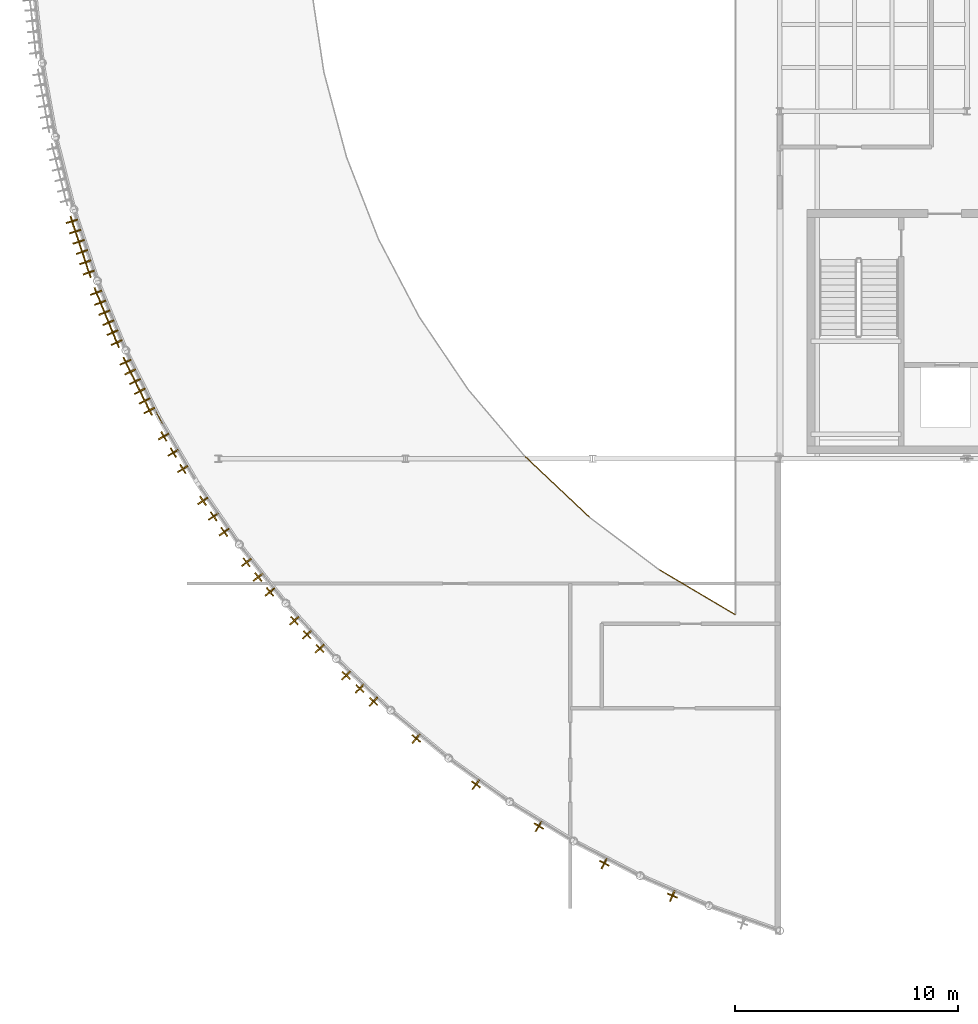
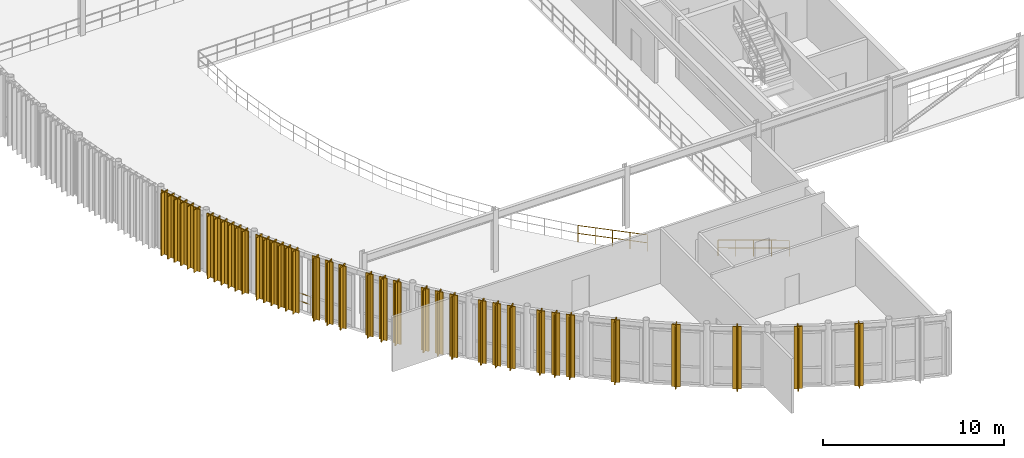
# One storey, part 26 of 32: 38 coverings, 38 shading devices, 3 railings.
"""IFC4 building model written with IfcOpenShell, lengths in metres."""

from ifc_helpers import new_model, si_unit, direction, frame, origin, origin_2d, place, context, subcontext, project, spatial, polyline, rectangle, circle, outline, extrude, material, layer, layer_set, material_profile, profile_set, type_object, element, save


model = new_model("IFC4")

# Units and contexts
model_context = context("Model", 3, precision=1e-05, world=origin(), true_north=direction((0.0, 1.0)))
body_context = subcontext(model_context, "Body", "Model", "MODEL_VIEW")
ifc_project = project(units=[si_unit("LENGTHUNIT", "METRE"), si_unit("AREAUNIT", "SQUARE_METRE"), si_unit("VOLUMEUNIT", "CUBIC_METRE"), si_unit("PLANEANGLEUNIT", "RADIAN"), si_unit("MASSUNIT", "GRAM", prefix="KILO")], contexts=[model_context])

# Site, building, storey
site_placement = place(None, origin())
site = spatial("IfcSite", under=ifc_project, at=site_placement, CompositionType="ELEMENT")
building_placement = place(site_placement, origin())
building = spatial("IfcBuilding", under=site, at=building_placement, Name="Selat Folded Stagehouse", CompositionType="ELEMENT")
storey_placement = place(building_placement, frame((0.0, 0.0, 19.199951171875)))
storey = spatial("IfcBuildingStorey", under=building, at=storey_placement, Name="L04", CompositionType="ELEMENT", Elevation=19.199951171875)

# Coverings
ifc_material_1 = material(Name="Bronze-anodised aluminium 6063-T6", Category="aluminium")
ifc_layer_1 = layer(ifc_material_1, 0.06005859375)
ifc_layer_set_1 = layer_set([ifc_layer_1], Name="Bronze-anodised aluminium 6063-T6")
covering_type = type_object("IfcCoveringType", Name="COV-FIN-BRZ42", PredefinedType="CLADDING", material=ifc_layer_set_1)
covering_1_placement = place(storey_placement, frame((0.0, 0.0, -0.099853515625)))
element("IfcCovering", 1, at=covering_1_placement, inside=storey, type_object=covering_type, Name="L04 drum bronze fin cladding sheath 215", PredefinedType="CLADDING", context=body_context, shape_type="SweptSolid", body=[
    extrude(outline(polyline([(2.073486328125, 34.1630859375), (1.556640625, 34.007080078125), (1.5751953125, 33.94580078125), (2.092041015625, 34.101806640625), (2.073486328125, 34.1630859375)])), origin(), (0.0, 0.0, 1.0), 4.219970703125),
])
covering_2_placement = place(storey_placement, frame((0.0, 0.0, -0.099853515625)))
element("IfcCovering", 2, at=covering_2_placement, inside=storey, type_object=covering_type, Name="L04 drum bronze fin cladding sheath 221", PredefinedType="CLADDING", context=body_context, shape_type="SweptSolid", body=[
    extrude(outline(polyline([(2.223876953125, 33.706298828125), (1.70849609375, 33.544921875), (1.7275390625, 33.48388671875), (2.242919921875, 33.64501953125), (2.223876953125, 33.706298828125)])), origin(), (0.0, 0.0, 1.0), 4.219970703125),
])
covering_3_placement = place(storey_placement, frame((0.0, 0.0, -0.099853515625)))
element("IfcCovering", 3, at=covering_3_placement, inside=storey, type_object=covering_type, Name="L04 drum bronze fin cladding sheath 227", PredefinedType="CLADDING", context=body_context, shape_type="SweptSolid", body=[
    extrude(outline(polyline([(2.3740234375, 33.249267578125), (1.8603515625, 33.082763671875), (1.880126953125, 33.02197265625), (2.393798828125, 33.188232421875), (2.3740234375, 33.249267578125)])), origin(), (0.0, 0.0, 1.0), 4.219970703125),
])
covering_4_placement = place(storey_placement, frame((0.0, 0.0, -0.099853515625)))
element("IfcCovering", 4, at=covering_4_placement, inside=storey, type_object=covering_type, Name="L04 drum bronze fin cladding sheath 233", PredefinedType="CLADDING", context=body_context, shape_type="SweptSolid", body=[
    extrude(outline(polyline([(2.5244140625, 32.792236328125), (2.012451171875, 32.62060546875), (2.03271484375, 32.559814453125), (2.544921875, 32.7314453125), (2.5244140625, 32.792236328125)])), origin(), (0.0, 0.0, 1.0), 4.219970703125),
])
covering_5_placement = place(storey_placement, frame((0.0, 0.0, -0.099853515625)))
element("IfcCovering", 5, at=covering_5_placement, inside=storey, type_object=covering_type, Name="L04 drum bronze fin cladding sheath 239", PredefinedType="CLADDING", context=body_context, shape_type="SweptSolid", body=[
    extrude(outline(polyline([(2.6748046875, 32.335205078125), (2.16455078125, 32.158447265625), (2.185302734375, 32.097900390625), (2.69580078125, 32.274658203125), (2.6748046875, 32.335205078125)])), origin(), (0.0, 0.0, 1.0), 4.219970703125),
])
covering_6_placement = place(storey_placement, frame((0.0, 0.0, -0.099853515625)))
element("IfcCovering", 6, at=covering_6_placement, inside=storey, type_object=covering_type, Name="L04 drum bronze fin cladding sheath 245", PredefinedType="CLADDING", context=body_context, shape_type="SweptSolid", body=[
    extrude(outline(polyline([(2.824951171875, 31.878173828125), (2.31640625, 31.6962890625), (2.338134765625, 31.635986328125), (2.8466796875, 31.81787109375), (2.824951171875, 31.878173828125)])), origin(), (0.0, 0.0, 1.0), 4.219970703125),
])
covering_7_placement = place(storey_placement, frame((0.0, 0.0, -0.099853515625)))
element("IfcCovering", 7, at=covering_7_placement, inside=storey, type_object=covering_type, Name="L04 drum bronze fin cladding sheath 251", PredefinedType="CLADDING", context=body_context, shape_type="SweptSolid", body=[
    extrude(outline(polyline([(3.1572265625, 30.975830078125), (2.652587890625, 30.78369140625), (2.67529296875, 30.72412109375), (3.179931640625, 30.916015625), (3.1572265625, 30.975830078125)])), origin(), (0.0, 0.0, 1.0), 4.219970703125),
])
covering_8_placement = place(storey_placement, frame((0.0, 0.0, -0.099853515625)))
element("IfcCovering", 8, at=covering_8_placement, inside=storey, type_object=covering_type, Name="L04 drum bronze fin cladding sheath 257", PredefinedType="CLADDING", context=body_context, shape_type="SweptSolid", body=[
    extrude(outline(polyline([(3.339111328125, 30.530517578125), (2.83642578125, 30.33349609375), (2.85986328125, 30.27392578125), (3.362548828125, 30.470947265625), (3.339111328125, 30.530517578125)])), origin(), (0.0, 0.0, 1.0), 4.219970703125),
])
covering_9_placement = place(storey_placement, frame((0.0, 0.0, -0.099853515625)))
element("IfcCovering", 9, at=covering_9_placement, inside=storey, type_object=covering_type, Name="L04 drum bronze fin cladding sheath 263", PredefinedType="CLADDING", context=body_context, shape_type="SweptSolid", body=[
    extrude(outline(polyline([(3.521240234375, 30.085205078125), (3.0205078125, 29.883056640625), (3.04443359375, 29.82373046875), (3.545166015625, 30.02587890625), (3.521240234375, 30.085205078125)])), origin(), (0.0, 0.0, 1.0), 4.219970703125),
])
covering_10_placement = place(storey_placement, frame((0.0, 0.0, -0.099853515625)))
element("IfcCovering", 10, at=covering_10_placement, inside=storey, type_object=covering_type, Name="L04 drum bronze fin cladding sheath 269", PredefinedType="CLADDING", context=body_context, shape_type="SweptSolid", body=[
    extrude(outline(polyline([(3.703125, 29.639892578125), (3.20458984375, 29.4326171875), (3.22900390625, 29.37353515625), (3.727783203125, 29.580810546875), (3.703125, 29.639892578125)])), origin(), (0.0, 0.0, 1.0), 4.219970703125),
])
covering_11_placement = place(storey_placement, frame((0.0, 0.0, -0.099853515625)))
element("IfcCovering", 11, at=covering_11_placement, inside=storey, type_object=covering_type, Name="L04 drum bronze fin cladding sheath 275", PredefinedType="CLADDING", context=body_context, shape_type="SweptSolid", body=[
    extrude(outline(polyline([(3.885009765625, 29.194580078125), (3.388427734375, 28.982421875), (3.413818359375, 28.923583984375), (3.910400390625, 29.135498046875), (3.885009765625, 29.194580078125)])), origin(), (0.0, 0.0, 1.0), 4.219970703125),
])
covering_12_placement = place(storey_placement, frame((0.0, 0.0, -0.099853515625)))
element("IfcCovering", 12, at=covering_12_placement, inside=storey, type_object=covering_type, Name="L04 drum bronze fin cladding sheath 281", PredefinedType="CLADDING", context=body_context, shape_type="SweptSolid", body=[
    extrude(outline(polyline([(4.067138671875, 28.7490234375), (3.57275390625, 28.531982421875), (3.598388671875, 28.473388671875), (4.0927734375, 28.6904296875), (4.067138671875, 28.7490234375)])), origin(), (0.0, 0.0, 1.0), 4.219970703125),
])
covering_13_placement = place(storey_placement, frame((0.0, 0.0, -0.099853515625)))
element("IfcCovering", 13, at=covering_13_placement, inside=storey, type_object=covering_type, Name="L04 drum bronze fin cladding sheath 287", PredefinedType="CLADDING", context=body_context, shape_type="SweptSolid", body=[
    extrude(outline(polyline([(4.4619140625, 27.872314453125), (3.9716796875, 27.6455078125), (3.998779296875, 27.58740234375), (4.48876953125, 27.814208984375), (4.4619140625, 27.872314453125)])), origin(), (0.0, 0.0, 1.0), 4.219970703125),
])
covering_14_placement = place(storey_placement, frame((0.0, 0.0, -0.099853515625)))
element("IfcCovering", 14, at=covering_14_placement, inside=storey, type_object=covering_type, Name="L04 drum bronze fin cladding sheath 293", PredefinedType="CLADDING", context=body_context, shape_type="SweptSolid", body=[
    extrude(outline(polyline([(4.674560546875, 27.44091796875), (4.18701171875, 27.208984375), (4.21435546875, 27.151123046875), (4.7021484375, 27.383056640625), (4.674560546875, 27.44091796875)])), origin(), (0.0, 0.0, 1.0), 4.219970703125),
])
covering_15_placement = place(storey_placement, frame((0.0, 0.0, -0.099853515625)))
element("IfcCovering", 15, at=covering_15_placement, inside=storey, type_object=covering_type, Name="L04 drum bronze fin cladding sheath 299", PredefinedType="CLADDING", context=body_context, shape_type="SweptSolid", body=[
    extrude(outline(polyline([(4.887451171875, 27.00927734375), (4.402099609375, 26.772705078125), (4.43017578125, 26.715087890625), (4.915283203125, 26.951904296875), (4.887451171875, 27.00927734375)])), origin(), (0.0, 0.0, 1.0), 4.219970703125),
])
covering_16_placement = place(storey_placement, frame((0.0, 0.0, -0.099853515625)))
element("IfcCovering", 16, at=covering_16_placement, inside=storey, type_object=covering_type, Name="L04 drum bronze fin cladding sheath 305", PredefinedType="CLADDING", context=body_context, shape_type="SweptSolid", body=[
    extrude(outline(polyline([(5.10009765625, 26.577880859375), (4.6171875, 26.336181640625), (4.645751953125, 26.279052734375), (5.12890625, 26.5205078125), (5.10009765625, 26.577880859375)])), origin(), (0.0, 0.0, 1.0), 4.219970703125),
])
covering_17_placement = place(storey_placement, frame((0.0, 0.0, -0.099853515625)))
element("IfcCovering", 17, at=covering_17_placement, inside=storey, type_object=covering_type, Name="L04 drum bronze fin cladding sheath 311", PredefinedType="CLADDING", context=body_context, shape_type="SweptSolid", body=[
    extrude(outline(polyline([(5.31298828125, 26.146484375), (4.83251953125, 25.89990234375), (4.861572265625, 25.843017578125), (5.342041015625, 26.08935546875), (5.31298828125, 26.146484375)])), origin(), (0.0, 0.0, 1.0), 4.219970703125),
])
covering_18_placement = place(storey_placement, frame((0.0, 0.0, -0.099853515625)))
element("IfcCovering", 18, at=covering_18_placement, inside=storey, type_object=covering_type, Name="L04 drum bronze fin cladding sheath 317", PredefinedType="CLADDING", context=body_context, shape_type="SweptSolid", body=[
    extrude(outline(polyline([(5.525634765625, 25.71484375), (5.047607421875, 25.463623046875), (5.077392578125, 25.406982421875), (5.555419921875, 25.658203125), (5.525634765625, 25.71484375)])), origin(), (0.0, 0.0, 1.0), 4.219970703125),
])
covering_19_placement = place(storey_placement, frame((0.0, 0.0, -0.099853515625)))
element("IfcCovering", 19, at=covering_19_placement, inside=storey, type_object=covering_type, Name="L04 drum bronze fin cladding sheath 323", PredefinedType="CLADDING", context=body_context, shape_type="SweptSolid", body=[
    extrude(outline(polyline([(6.162841796875, 24.556396484375), (5.69189453125, 24.2919921875), (5.72314453125, 24.236083984375), (6.194091796875, 24.50048828125), (6.162841796875, 24.556396484375)])), origin(), (0.0, 0.0, 1.0), 4.219970703125),
])
covering_20_placement = place(storey_placement, frame((0.0, 0.0, -0.099853515625)))
element("IfcCovering", 20, at=covering_20_placement, inside=storey, type_object=covering_type, Name="L04 drum bronze fin cladding sheath 329", PredefinedType="CLADDING", context=body_context, shape_type="SweptSolid", body=[
    extrude(outline(polyline([(6.587158203125, 23.8291015625), (6.12109375, 23.556640625), (6.1533203125, 23.50146484375), (6.619384765625, 23.77392578125), (6.587158203125, 23.8291015625)])), origin(), (0.0, 0.0, 1.0), 4.219970703125),
])
covering_21_placement = place(storey_placement, frame((0.0, 0.0, -0.099853515625)))
element("IfcCovering", 21, at=covering_21_placement, inside=storey, type_object=covering_type, Name="L04 drum bronze fin cladding sheath 335", PredefinedType="CLADDING", context=body_context, shape_type="SweptSolid", body=[
    extrude(outline(polyline([(7.01171875, 23.10205078125), (6.55029296875, 22.8212890625), (6.58349609375, 22.7666015625), (7.044921875, 23.04736328125), (7.01171875, 23.10205078125)])), origin(), (0.0, 0.0, 1.0), 4.219970703125),
])
covering_22_placement = place(storey_placement, frame((0.0, 0.0, -0.099853515625)))
element("IfcCovering", 22, at=covering_22_placement, inside=storey, type_object=covering_type, Name="L04 drum bronze fin cladding sheath 341", PredefinedType="CLADDING", context=body_context, shape_type="SweptSolid", body=[
    extrude(outline(polyline([(7.910400390625, 21.679443359375), (7.458984375, 21.3828125), (7.494384765625, 21.329345703125), (7.945556640625, 21.6259765625), (7.910400390625, 21.679443359375)])), origin(), (0.0, 0.0, 1.0), 4.219970703125),
])
covering_23_placement = place(storey_placement, frame((0.0, 0.0, -0.099853515625)))
element("IfcCovering", 23, at=covering_23_placement, inside=storey, type_object=covering_type, Name="L04 drum bronze fin cladding sheath 347", PredefinedType="CLADDING", context=body_context, shape_type="SweptSolid", body=[
    extrude(outline(polyline([(8.384765625, 20.98388671875), (7.938720703125, 20.67919921875), (7.974853515625, 20.62646484375), (8.4208984375, 20.930908203125), (8.384765625, 20.98388671875)])), origin(), (0.0, 0.0, 1.0), 4.219970703125),
])
covering_24_placement = place(storey_placement, frame((0.0, 0.0, -0.099853515625)))
element("IfcCovering", 24, at=covering_24_placement, inside=storey, type_object=covering_type, Name="L04 drum bronze fin cladding sheath 353", PredefinedType="CLADDING", context=body_context, shape_type="SweptSolid", body=[
    extrude(outline(polyline([(8.85888671875, 20.288330078125), (8.41845703125, 19.97607421875), (8.45556640625, 19.923828125), (8.89599609375, 20.236083984375), (8.85888671875, 20.288330078125)])), origin(), (0.0, 0.0, 1.0), 4.219970703125),
])
covering_25_placement = place(storey_placement, frame((0.0, 0.0, -0.099853515625)))
element("IfcCovering", 25, at=covering_25_placement, inside=storey, type_object=covering_type, Name="L04 drum bronze fin cladding sheath 359", PredefinedType="CLADDING", context=body_context, shape_type="SweptSolid", body=[
    extrude(outline(polyline([(9.855224609375, 18.93212890625), (9.426025390625, 18.6044921875), (9.46484375, 18.5537109375), (9.89404296875, 18.88134765625), (9.855224609375, 18.93212890625)])), origin(), (0.0, 0.0, 1.0), 4.219970703125),
])
covering_26_placement = place(storey_placement, frame((0.0, 0.0, -0.099853515625)))
element("IfcCovering", 26, at=covering_26_placement, inside=storey, type_object=covering_type, Name="L04 drum bronze fin cladding sheath 365", PredefinedType="CLADDING", context=body_context, shape_type="SweptSolid", body=[
    extrude(outline(polyline([(10.377197265625, 18.271484375), (9.953857421875, 17.9365234375), (9.993408203125, 17.88623046875), (10.4169921875, 18.221435546875), (10.377197265625, 18.271484375)])), origin(), (0.0, 0.0, 1.0), 4.219970703125),
])
covering_27_placement = place(storey_placement, frame((0.0, 0.0, -0.099853515625)))
element("IfcCovering", 27, at=covering_27_placement, inside=storey, type_object=covering_type, Name="L04 drum bronze fin cladding sheath 371", PredefinedType="CLADDING", context=body_context, shape_type="SweptSolid", body=[
    extrude(outline(polyline([(10.899169921875, 17.611083984375), (10.481689453125, 17.2685546875), (10.522216796875, 17.218994140625), (10.939697265625, 17.5615234375), (10.899169921875, 17.611083984375)])), origin(), (0.0, 0.0, 1.0), 4.219970703125),
])
covering_28_placement = place(storey_placement, frame((0.0, 0.0, -0.099853515625)))
element("IfcCovering", 28, at=covering_28_placement, inside=storey, type_object=covering_type, Name="L04 drum bronze fin cladding sheath 377", PredefinedType="CLADDING", context=body_context, shape_type="SweptSolid", body=[
    extrude(outline(polyline([(11.98828125, 16.328125), (11.5830078125, 15.97119140625), (11.625244140625, 15.923095703125), (12.030517578125, 16.280029296875), (11.98828125, 16.328125)])), origin(), (0.0, 0.0, 1.0), 4.219970703125),
])
covering_29_placement = place(storey_placement, frame((0.0, 0.0, -0.099853515625)))
element("IfcCovering", 29, at=covering_29_placement, inside=storey, type_object=covering_type, Name="L04 drum bronze fin cladding sheath 383", PredefinedType="CLADDING", context=body_context, shape_type="SweptSolid", body=[
    extrude(outline(polyline([(12.555419921875, 15.705810546875), (12.15625, 15.341796875), (12.199462890625, 15.294677734375), (12.598388671875, 15.658447265625), (12.555419921875, 15.705810546875)])), origin(), (0.0, 0.0, 1.0), 4.219970703125),
])
covering_30_placement = place(storey_placement, frame((0.0, 0.0, -0.099853515625)))
element("IfcCovering", 30, at=covering_30_placement, inside=storey, type_object=covering_type, Name="L04 drum bronze fin cladding sheath 389", PredefinedType="CLADDING", context=body_context, shape_type="SweptSolid", body=[
    extrude(outline(polyline([(13.122314453125, 15.08349609375), (12.729736328125, 14.712646484375), (12.773681640625, 14.666015625), (13.166259765625, 15.037109375), (13.122314453125, 15.08349609375)])), origin(), (0.0, 0.0, 1.0), 4.219970703125),
])
covering_31_placement = place(storey_placement, frame((0.0, 0.0, -0.099853515625)))
element("IfcCovering", 31, at=covering_31_placement, inside=storey, type_object=covering_type, Name="L04 drum bronze fin cladding sheath 395", PredefinedType="CLADDING", context=body_context, shape_type="SweptSolid", body=[
    extrude(outline(polyline([(14.298583984375, 13.880126953125), (13.919189453125, 13.49560546875), (13.96484375, 13.45068359375), (14.343994140625, 13.835205078125), (14.298583984375, 13.880126953125)])), origin(), (0.0, 0.0, 1.0), 4.219970703125),
])
covering_32_placement = place(storey_placement, frame((0.0, 0.0, -0.099853515625)))
element("IfcCovering", 32, at=covering_32_placement, inside=storey, type_object=covering_type, Name="L04 drum bronze fin cladding sheath 401", PredefinedType="CLADDING", context=body_context, shape_type="SweptSolid", body=[
    extrude(outline(polyline([(14.90771484375, 13.299072265625), (14.535400390625, 12.908203125), (14.581787109375, 12.864013671875), (14.9541015625, 13.2548828125), (14.90771484375, 13.299072265625)])), origin(), (0.0, 0.0, 1.0), 4.219970703125),
])
covering_33_placement = place(storey_placement, frame((0.0, 0.0, -0.099853515625)))
element("IfcCovering", 33, at=covering_33_placement, inside=storey, type_object=covering_type, Name="L04 drum bronze fin cladding sheath 407", PredefinedType="CLADDING", context=body_context, shape_type="SweptSolid", body=[
    extrude(outline(polyline([(15.51708984375, 12.718017578125), (15.151611328125, 12.320556640625), (15.19873046875, 12.277099609375), (15.564208984375, 12.6748046875), (15.51708984375, 12.718017578125)])), origin(), (0.0, 0.0, 1.0), 4.219970703125),
])
covering_34_placement = place(storey_placement, frame((0.0, 0.0, -0.099853515625)))
element("IfcCovering", 34, at=covering_34_placement, inside=storey, type_object=covering_type, Name="L04 drum bronze fin cladding sheath 413", PredefinedType="CLADDING", context=body_context, shape_type="SweptSolid", body=[
    extrude(outline(polyline([(17.42333984375, 11.0634765625), (17.079345703125, 10.647216796875), (17.128662109375, 10.6064453125), (17.47265625, 11.022705078125), (17.42333984375, 11.0634765625)])), origin(), (0.0, 0.0, 1.0), 4.219970703125),
])
covering_35_placement = place(storey_placement, frame((0.0, 0.0, -0.099853515625)))
element("IfcCovering", 35, at=covering_35_placement, inside=storey, type_object=covering_type, Name="L04 drum bronze fin cladding sheath 417", PredefinedType="CLADDING", context=body_context, shape_type="SweptSolid", body=[
    extrude(outline(polyline([(20.089599609375, 9.009521484375), (19.775634765625, 8.5703125), (19.82763671875, 8.533203125), (20.1416015625, 8.972412109375), (20.089599609375, 9.009521484375)])), origin(), (0.0, 0.0, 1.0), 4.219970703125),
])
covering_36_placement = place(storey_placement, frame((0.0, 0.0, -0.099853515625)))
element("IfcCovering", 36, at=covering_36_placement, inside=storey, type_object=covering_type, Name="L04 drum bronze fin cladding sheath 421", PredefinedType="CLADDING", context=body_context, shape_type="SweptSolid", body=[
    extrude(outline(polyline([(22.893310546875, 7.147705078125), (22.61083984375, 6.6875), (22.665283203125, 6.654052734375), (22.94775390625, 7.114501953125), (22.893310546875, 7.147705078125)])), origin(), (0.0, 0.0, 1.0), 4.219970703125),
])
covering_37_placement = place(storey_placement, frame((0.0, 0.0, -0.099853515625)))
element("IfcCovering", 37, at=covering_37_placement, inside=storey, type_object=covering_type, Name="L04 drum bronze fin cladding sheath 425", PredefinedType="CLADDING", context=body_context, shape_type="SweptSolid", body=[
    extrude(outline(polyline([(25.82080078125, 5.4873046875), (25.5712890625, 5.00830078125), (25.6279296875, 4.97900390625), (25.87744140625, 5.457763671875), (25.82080078125, 5.4873046875)])), origin(), (0.0, 0.0, 1.0), 4.219970703125),
])
covering_38_placement = place(storey_placement, frame((0.0, 0.0, -0.099853515625)))
element("IfcCovering", 38, at=covering_38_placement, inside=storey, type_object=covering_type, Name="L04 drum bronze fin cladding sheath 429", PredefinedType="CLADDING", context=body_context, shape_type="SweptSolid", body=[
    extrude(outline(polyline([(28.857421875, 4.036376953125), (28.64208984375, 3.541015625), (28.70068359375, 3.515625), (28.916015625, 4.0107421875), (28.857421875, 4.036376953125)])), origin(), (0.0, 0.0, 1.0), 4.219970703125),
])

# Railings
ifc_material_2 = material(Name="Bronze-anodised steel balustrade", Category="steel")
ifc_layer_2 = layer(ifc_material_2, 0.06494140625)
ifc_layer_set_2 = layer_set([ifc_layer_2], Name="Bronze-anodised steel balustrade")
railing_type = type_object("IfcRailingType", Name="RLG-BAL-1120", PredefinedType="BALUSTRADE", material=ifc_layer_set_2)
railing_1_placement = place(storey_placement, frame((31.60009765625, 16.402587890625, 0.0)))
element("IfcRailing", 39, at=railing_1_placement, inside=storey, type_object=railing_type, Name="L04 protective guard railing 111", PredefinedType="BALUSTRADE", context=body_context, shape_type="SweptSolid", body=[
    extrude(circle(Radius=0.02392578125, at=origin_2d()), frame((0.0, 0.0, 1.09619140625), z_axis=(-0.860670204858, 0.509162840818, 0.0), x_axis=(-0.509162840818, -0.860670204858, 0.0)), (0.0, 0.0, 1.0), 3.94580078125),
    extrude(circle(Radius=0.02392578125, at=origin_2d()), frame((0.0, 0.0, 0.56005859375), z_axis=(-0.860670204858, 0.509162840818, 0.0), x_axis=(-0.509162840818, -0.860670204858, 0.0)), (0.0, 0.0, 1.0), 3.94580078125),
    extrude(circle(Radius=0.02099609375, at=origin_2d()), origin(), (0.0, 0.0, 1.0), 1.072021484375),
    extrude(circle(Radius=0.02099609375, at=origin_2d()), frame((-0.84912109375, 0.502197265625, 0.0)), (0.0, 0.0, 1.0), 1.072021484375),
    extrude(circle(Radius=0.02099609375, at=origin_2d()), frame((-1.697998046875, 1.00439453125, 0.0)), (0.0, 0.0, 1.0), 1.072021484375),
    extrude(circle(Radius=0.02099609375, at=origin_2d()), frame((-2.546875, 1.5068359375, 0.0)), (0.0, 0.0, 1.0), 1.072021484375),
    extrude(circle(Radius=0.02099609375, at=origin_2d()), frame((-3.39599609375, 2.009033203125, 0.0)), (0.0, 0.0, 1.0), 1.072021484375),
])
railing_2_placement = place(storey_placement, frame((25.05126953125, 20.783935546875, 0.0)))
element("IfcRailing", 40, at=railing_2_placement, inside=storey, type_object=railing_type, Name="L04 protective guard railing 113", PredefinedType="BALUSTRADE", context=body_context, shape_type="SweptSolid", body=[
    extrude(circle(Radius=0.02392578125, at=origin_2d()), frame((0.0, 0.0, 1.09619140625), z_axis=(-0.727622055706, 0.685978238758, 0.0), x_axis=(-0.685978238758, -0.727622055706, 0.0)), (0.0, 0.0, 1.0), 3.945556640625),
    extrude(circle(Radius=0.02392578125, at=origin_2d()), frame((0.0, 0.0, 0.56005859375), z_axis=(-0.727622055706, 0.685978238758, 0.0), x_axis=(-0.685978238758, -0.727622055706, 0.0)), (0.0, 0.0, 1.0), 3.945556640625),
    extrude(circle(Radius=0.02099609375, at=origin_2d()), origin(), (0.0, 0.0, 1.0), 1.072021484375),
    extrude(circle(Radius=0.02099609375, at=origin_2d()), frame((-0.7177734375, 0.6767578125, 0.0)), (0.0, 0.0, 1.0), 1.072021484375),
    extrude(circle(Radius=0.02099609375, at=origin_2d()), frame((-1.435546875, 1.353271484375, 0.0)), (0.0, 0.0, 1.0), 1.072021484375),
    extrude(circle(Radius=0.02099609375, at=origin_2d()), frame((-2.153076171875, 2.02978515625, 0.0)), (0.0, 0.0, 1.0), 1.072021484375),
    extrude(circle(Radius=0.02099609375, at=origin_2d()), frame((-2.870849609375, 2.70654296875, 0.0)), (0.0, 0.0, 1.0), 1.072021484375),
])
railing_3_placement = place(storey_placement, frame((5.89990234375, 24.949951171875, 0.0)))
element("IfcRailing", 41, at=railing_3_placement, inside=storey, type_object=railing_type, Name="L04 drum mullion step guard", PredefinedType="BALUSTRADE", context=body_context, shape_type="SweptSolid", body=[
    extrude(circle(Radius=0.02392578125, at=origin_2d()), frame((0.0, 0.0, 1.09619140625), z_axis=(-0.473863173151, 0.880598485765, 0.0), x_axis=(-0.880598485765, -0.473863173151, 0.0)), (0.0, 0.0, 1.0), 0.73828125),
    extrude(circle(Radius=0.02392578125, at=origin_2d()), frame((0.0, 0.0, 0.56005859375), z_axis=(-0.473863173151, 0.880598485765, 0.0), x_axis=(-0.880598485765, -0.473863173151, 0.0)), (0.0, 0.0, 1.0), 0.73828125),
    extrude(circle(Radius=0.02099609375, at=origin_2d()), origin(), (0.0, 0.0, 1.0), 1.072021484375),
    extrude(circle(Radius=0.02099609375, at=origin_2d()), frame((-0.349853515625, 0.650146484375, 0.0)), (0.0, 0.0, 1.0), 1.072021484375),
])

# Shading devices
ifc_material_profile = material_profile(ifc_material_1, rectangle(XDim=0.06005859375, YDim=0.47998046875, at=origin_2d()), Name="SOLAR-FIN 480x60")
ifc_profile_set = profile_set([ifc_material_profile], Name="Bronze-anodised aluminium 6063-T6")
shading_device_type = type_object("IfcShadingDeviceType", Name="SHD-FIN-480x60", PredefinedType="USERDEFINED", material=ifc_profile_set)
for number, where, z_axis, x_axis, name in (
    (42, (1.833984375, 34.057373046875, -0.099853515625), (0.0, 0.0, 1.0), (-0.957319497532, -0.289031796944, 0.0), "L04 drum vertical bronze solar fin 215"),
    (43, (1.9853515625, 33.597900390625, -0.099853515625), (0.0, 0.0, 1.0), (-0.954344655307, -0.298707681332, 0.0), "L04 drum vertical bronze solar fin 221"),
    (44, (2.13671875, 33.138671875, -0.099853515625), (0.0, 0.0, 1.0), (-0.951325822325, -0.308186923436, 0.0), "L04 drum vertical bronze solar fin 227"),
    (45, (2.2880859375, 32.67919921875, -0.099853515625), (0.0, 0.0, 1.0), (-0.94815738489, -0.317801153992, 0.0), "L04 drum vertical bronze solar fin 233"),
    (46, (2.439453125, 32.219970703125, -0.099853515625), (0.0, 0.0, 1.0), (-0.944948912158, -0.327217898979, 0.0), "L04 drum vertical bronze solar fin 239"),
    (47, (2.591064453125, 31.760498046875, -0.099853515625), (0.0, 0.0, 1.0), (-0.941588155895, -0.336766602676, 0.0), "L04 drum vertical bronze solar fin 245"),
    (48, (2.925537109375, 30.853515625, -0.099853515625), (0.0, 0.0, 1.0), (-0.93463961469, -0.355596387288, 0.0), "L04 drum vertical bronze solar fin 251"),
    (49, (3.10888671875, 30.40576171875, -0.099853515625), (0.0, 0.0, 1.0), (-0.931055815863, -0.364876784338, 0.0), "L04 drum vertical bronze solar fin 257"),
    (50, (3.2919921875, 29.958251953125, -0.099853515625), (0.0, 0.0, 1.0), (-0.927314560446, -0.374282922379, 0.0), "L04 drum vertical bronze solar fin 263"),
    (51, (3.475341796875, 29.510498046875, -0.099853515625), (0.0, 0.0, 1.0), (-0.923545226472, -0.383489523534, 0.0), "L04 drum vertical bronze solar fin 269"),
    (52, (3.65869140625, 29.06298828125, -0.099853515625), (0.0, 0.0, 1.0), (-0.91961594401, -0.392818680211, 0.0), "L04 drum vertical bronze solar fin 275"),
    (53, (3.841796875, 28.615234375, -0.099853515625), (0.0, 0.0, 1.0), (-0.91566259334, -0.401947776656, 0.0), "L04 drum vertical bronze solar fin 281"),
    (54, (4.239501953125, 27.73388671875, -0.099853515625), (0.0, 0.0, 1.0), (-0.907411091929, -0.420244107924, 0.0), "L04 drum vertical bronze solar fin 287"),
    (55, (4.45361328125, 27.30029296875, -0.099853515625), (0.0, 0.0, 1.0), (-0.903185511225, -0.429250430767, 0.0), "L04 drum vertical bronze solar fin 293"),
    (56, (4.667724609375, 26.86669921875, -0.099853515625), (0.0, 0.0, 1.0), (-0.898794046299, -0.438371146789, 0.0), "L04 drum vertical bronze solar fin 299"),
    (57, (4.8818359375, 26.432861328125, -0.099853515625), (0.0, 0.0, 1.0), (-0.89438856037, -0.447290848419, 0.0), "L04 drum vertical bronze solar fin 305"),
    (58, (5.09619140625, 25.999267578125, -0.099853515625), (0.0, 0.0, 1.0), (-0.889814927768, -0.4563215909, 0.0), "L04 drum vertical bronze solar fin 311"),
    (59, (5.310302734375, 25.565673828125, -0.099853515625), (0.0, 0.0, 1.0), (-0.885231311332, -0.465151078077, 0.0), "L04 drum vertical bronze solar fin 317"),
    (60, (5.951904296875, 24.401123046875, -0.099853515625), (0.0, 0.0, 1.0), (-0.872069272432, -0.489382451749, 0.0), "L04 drum vertical bronze solar fin 323"),
    (61, (6.37890625, 23.67041015625, -0.099853515625), (0.0, 0.0, 1.0), (-0.863307480775, -0.504678307081, 0.0), "L04 drum vertical bronze solar fin 329"),
    (62, (6.80615234375, 22.939697265625, -0.099853515625), (0.0, 0.0, 1.0), (-0.854368143929, -0.519668235165, 0.0), "L04 drum vertical bronze solar fin 335"),
    (63, (7.710693359375, 21.509765625, -0.099853515625), (0.0, 0.0, 1.0), (-0.835615665335, -0.549314536351, 0.0), "L04 drum vertical bronze solar fin 341"),
    (64, (8.18798828125, 20.810791015625, -0.099853515625), (0.0, 0.0, 1.0), (-0.82580311972, -0.563958515726, 0.0), "L04 drum vertical bronze solar fin 347"),
    (65, (8.665283203125, 20.11181640625, -0.099853515625), (0.0, 0.0, 1.0), (-0.815733970499, -0.578427255041, 0.0), "L04 drum vertical bronze solar fin 353"),
    (66, (9.66796875, 18.7490234375, -0.099853515625), (0.0, 0.0, 1.0), (-0.794944353388, -0.606682351002, 0.0), "L04 drum vertical bronze solar fin 359"),
    (67, (10.193115234375, 18.085205078125, -0.099853515625), (0.0, 0.0, 1.0), (-0.784235212544, -0.620463642292, 0.0), "L04 drum vertical bronze solar fin 365"),
    (68, (10.718505859375, 17.42138671875, -0.099853515625), (0.0, 0.0, 1.0), (-0.773176510644, -0.634190888762, 0.0), "L04 drum vertical bronze solar fin 371"),
    (69, (11.814208984375, 16.13232421875, -0.099853515625), (0.0, 0.0, 1.0), (-0.750457228874, -0.660919017453, 0.0), "L04 drum vertical bronze solar fin 377"),
    (70, (12.384765625, 15.5068359375, -0.099853515625), (0.0, 0.0, 1.0), (-0.738690671568, -0.674044576967, 0.0), "L04 drum vertical bronze solar fin 383"),
    (71, (12.955322265625, 14.881591796875, -0.099853515625), (0.0, 0.0, 1.0), (-0.726814465487, -0.686833846544, 0.0), "L04 drum vertical bronze solar fin 389"),
    (72, (14.138916015625, 13.672607421875, -0.099853515625), (0.0, 0.0, 1.0), (-0.702277314289, -0.711903486321, 0.0), "L04 drum vertical bronze solar fin 395"),
    (73, (14.751708984375, 13.0888671875, -0.099853515625), (0.0, 0.0, 1.0), (-0.689619543736, -0.724171861437, 0.0), "L04 drum vertical bronze solar fin 401"),
    (74, (15.36474609375, 12.5048828125, -0.099853515625), (0.0, 0.0, 1.0), (-0.676875969683, -0.73609708712, 0.0), "L04 drum vertical bronze solar fin 407"),
    (75, (17.282470703125, 10.842529296875, -0.099853515625), (0.0, 0.0, 1.0), (-0.63715499106, -0.770735698776, 0.0), "L04 drum vertical bronze solar fin 413"),
    (76, (19.96435546875, 8.779541015625, -0.099853515625), (0.0, 0.0, 1.0), (-0.581555176926, -0.813506961366, 0.0), "L04 drum vertical bronze solar fin 417"),
    (77, (22.78466796875, 6.909423828125, -0.099853515625), (0.0, 0.0, 1.0), (-0.523093692466, -0.852275183789, 0.0), "L04 drum vertical bronze solar fin 421"),
    (78, (25.72900390625, 5.241943359375, -0.099853515625), (0.0, 0.0, 1.0), (-0.461903418797, -0.886930229333, 0.0), "L04 drum vertical bronze solar fin 425"),
    (79, (28.782958984375, 3.78515625, -0.099853515625), (0.0, 0.0, 1.0), (-0.398589005675, -0.917129655259, 0.0), "L04 drum vertical bronze solar fin 429"),
):
    element("IfcShadingDevice", number, at=place(storey_placement, frame(where, z_axis=z_axis, x_axis=x_axis)), inside=storey, type_object=shading_device_type, Name=name, ObjectType="FIN", PredefinedType="USERDEFINED", context=body_context, shape_type="SweptSolid", body=[
        extrude(rectangle(XDim=0.06005859375, YDim=0.47998046875, at=origin_2d()), origin(), (0.0, 0.0, 1.0), 4.219970703125),
    ])

save(model, "model.ifc")
